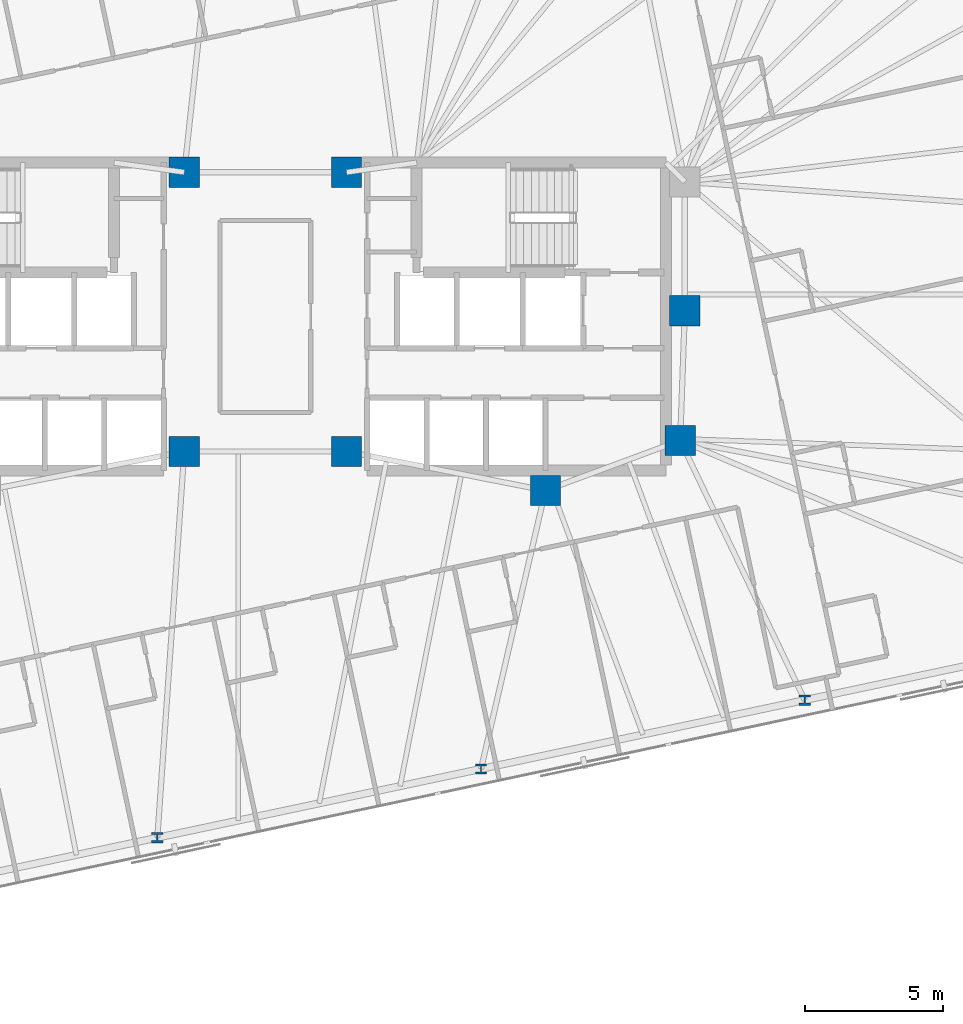
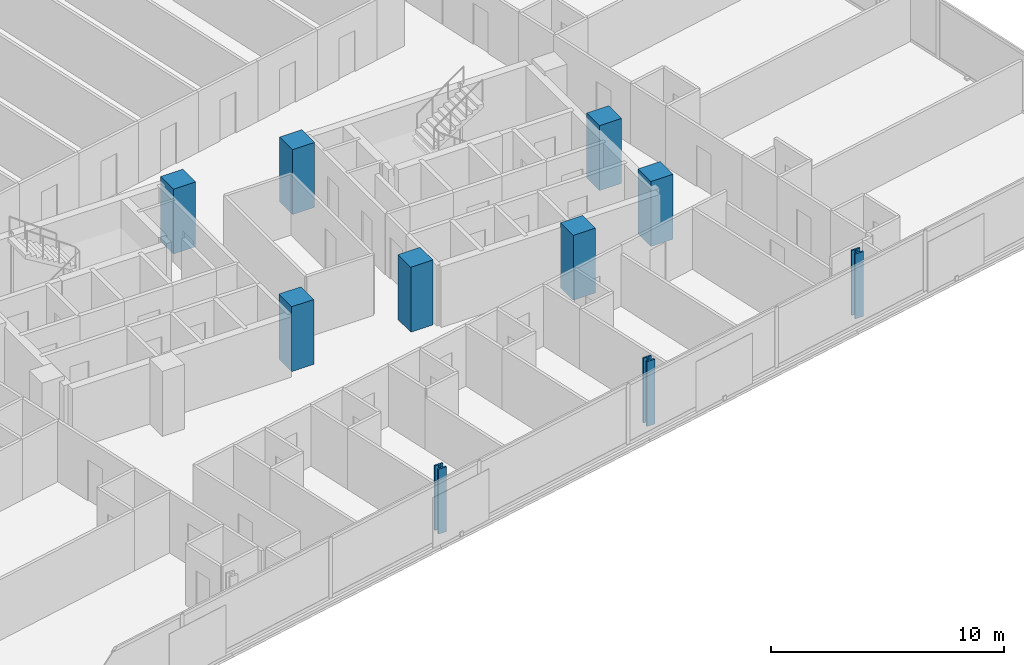
# One storey, part 3 of 21: 10 columns.
"""IFC4 building model written with IfcOpenShell, lengths in metres."""

from ifc_helpers import new_model, si_unit, direction, frame, origin, origin_2d, place, context, subcontext, project, spatial, rectangle, i_section, extrude, material, material_profile, profile_set, type_object, element, save


model = new_model("IFC4")

# Units and contexts
model_context = context("Model", 3, precision=1e-05, world=origin(), true_north=direction((0.0, 1.0)))
body_context = subcontext(model_context, "Body", "Model", "MODEL_VIEW")
ifc_project = project(units=[si_unit("LENGTHUNIT", "METRE"), si_unit("AREAUNIT", "SQUARE_METRE"), si_unit("VOLUMEUNIT", "CUBIC_METRE"), si_unit("PLANEANGLEUNIT", "RADIAN"), si_unit("MASSUNIT", "GRAM", prefix="KILO")], contexts=[model_context])

# Site, building, storey
site_placement = place(None, origin())
site = spatial("IfcSite", under=ifc_project, at=site_placement, CompositionType="ELEMENT")
building_placement = place(site_placement, origin())
building = spatial("IfcBuilding", under=site, at=building_placement, Name="Menara Jurai Vektor", CompositionType="ELEMENT")
storey_placement = place(building_placement, frame((0.0, 0.0, 168.39990234375)))
storey = spatial("IfcBuildingStorey", under=building, at=storey_placement, Name="L43", CompositionType="ELEMENT", Elevation=168.39990234375)

# Columns
ifc_material_1 = material(Name="Concrete C50/60", Category="concrete")
ifc_material_profile_1 = material_profile(ifc_material_1, rectangle(XDim=1.10009765625, YDim=1.10009765625, at=origin_2d()), Name="RC 1100x1100")
ifc_profile_set_1 = profile_set([ifc_material_profile_1], Name="Concrete C50/60")
column_type_1 = type_object("IfcColumnType", Name="STR-COL-RC1100", PredefinedType="COLUMN", material=ifc_profile_set_1)
for number, where, z_axis, x_axis, name in (
    (1, (-2.949951171875, -4.89990234375, 0.0), (0.0, 0.0, 1.0), (1.0, 0.0, 0.0), "Core Spine Column CW-SE L43"),
    (2, (-2.949951171875, 5.25, 0.0), (0.0, 0.0, 1.0), (1.0, 0.0, 0.0), "Core Spine Column CW-NE L43"),
    (3, (15.25, 0.219970703125, 0.0), (0.0, 0.0, 1.0), (1.0, 0.0, 0.0), "Core Spine Column CE-EM L43"),
    (4, (15.080078125, -4.5, 0.0), (0.0, 0.0, 1.0), (1.0, 0.0, 0.0), "Core Spine Column CE-SE L43"),
    (5, (10.179931640625, -6.320068359375, 0.0), (0.0, 0.0, 1.0), (1.0, 0.0, 0.0), "Core Spine Column CE-SM L43"),
    (6, (2.949951171875, -4.89990234375, 0.0), (0.0, 0.0, 1.0), (1.0, 0.0, 0.0), "Core Spine Column CE-SW L43"),
    (7, (2.949951171875, 5.25, 0.0), (0.0, 0.0, 1.0), (1.0, 0.0, 0.0), "Core Spine Column CE-NW L43"),
):
    element("IfcColumn", number, at=place(storey_placement, frame(where, z_axis=z_axis, x_axis=x_axis)), inside=storey, type_object=column_type_1, Name=name, PredefinedType="COLUMN", context=body_context, shape_type="SweptSolid", body=[
        extrude(rectangle(XDim=1.10009765625, YDim=1.10009765625, at=origin_2d()), origin(), (0.0, 0.0, 1.0), 3.400146484375),
    ])
ifc_material_2 = material(Name="Steel S460", Category="steel")
ifc_material_profile_2 = material_profile(ifc_material_2, i_section(OverallWidth=0.408935546875, OverallDepth=0.3740234375, WebThickness=0.048095703125, FlangeThickness=0.076904296875, FilletRadius=0.014892578125, at=origin_2d()), Name="HD 400x634")
ifc_profile_set_2 = profile_set([ifc_material_profile_2], Name="Steel S460")
column_type_2 = type_object("IfcColumnType", Name="STR-EXO-BLK3", PredefinedType="COLUMN", material=ifc_profile_set_2)
for number, where, z_axis, x_axis, name in (
    (8, (-3.928466796875, -18.94287109375, 0.0), (0.0, 0.0, 1.0), (1.0, 0.0, 0.0), "Exoskeleton Column BLK3-S3 L43"),
    (9, (7.83984375, -16.44140625, 0.0), (0.0, 0.0, 1.0), (1.0, 0.0, 0.0), "Exoskeleton Column BLK3-S4 L43"),
    (10, (19.608154296875, -13.940185546875, 0.0), (0.0, 0.0, 1.0), (1.0, 0.0, 0.0), "Exoskeleton Column BLK3-S5 L43"),
):
    element("IfcColumn", number, at=place(storey_placement, frame(where, z_axis=z_axis, x_axis=x_axis)), inside=storey, type_object=column_type_2, Name=name, PredefinedType="COLUMN", context=body_context, shape_type="SweptSolid", body=[
        extrude(i_section(OverallWidth=0.408935546875, OverallDepth=0.3740234375, WebThickness=0.048095703125, FlangeThickness=0.076904296875, FilletRadius=0.014892578125, at=origin_2d()), origin(), (0.0, 0.0, 1.0), 3.400146484375),
    ])

save(model, "model.ifc")
